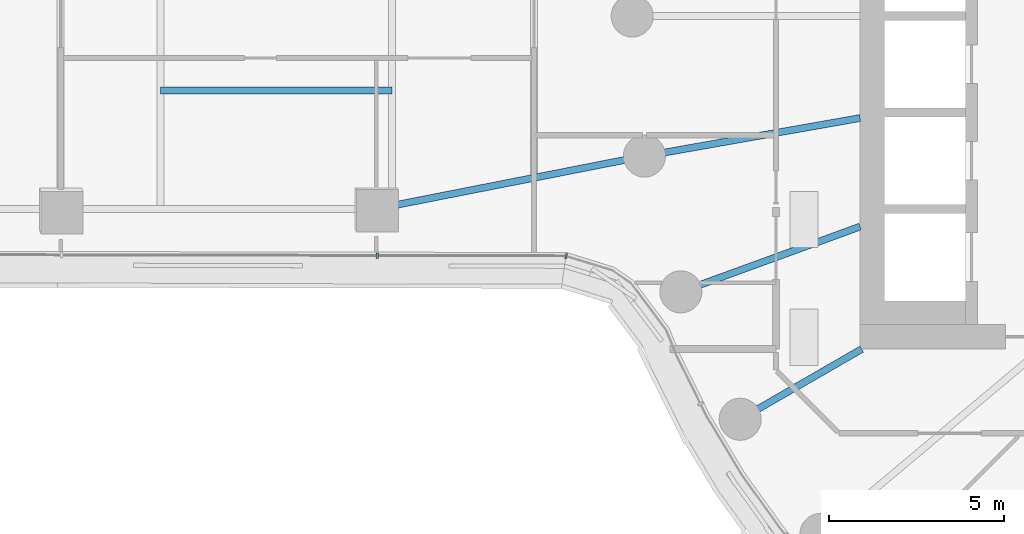
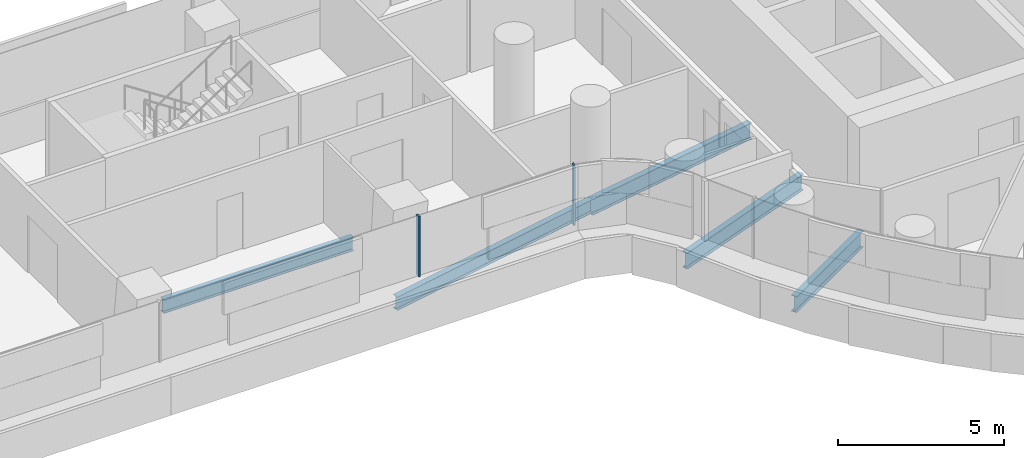
# One storey, part 5 of 32: 5 beams, 2 members, 2 elements without a shape of their own.
"""IFC4 building model written with IfcOpenShell, lengths in metres."""

from ifc_helpers import new_model, si_unit, direction, frame, origin, origin_2d, place, context, subcontext, project, spatial, rectangle, i_section, extrude, material, layer, layer_set, material_profile, profile_set, type_object, element, aggregate, save


model = new_model("IFC4")

# Units and contexts
model_context = context("Model", 3, precision=1e-05, world=origin(), true_north=direction((0.0, 1.0)))
body_context = subcontext(model_context, "Body", "Model", "MODEL_VIEW")
ifc_project = project(units=[si_unit("LENGTHUNIT", "METRE"), si_unit("AREAUNIT", "SQUARE_METRE"), si_unit("VOLUMEUNIT", "CUBIC_METRE"), si_unit("PLANEANGLEUNIT", "RADIAN"), si_unit("MASSUNIT", "GRAM", prefix="KILO")], contexts=[model_context])

# Site, building, storey
site_placement = place(None, origin())
site = spatial("IfcSite", under=ifc_project, at=site_placement, CompositionType="ELEMENT")
building_placement = place(site_placement, origin())
building = spatial("IfcBuilding", under=site, at=building_placement, Name="Tamarind Cross Interchange Tower", CompositionType="ELEMENT")
storey_placement = place(building_placement, frame((0.0, 0.0, 34.0)))
storey = spatial("IfcBuildingStorey", under=building, at=storey_placement, Name="L06", CompositionType="ELEMENT", Elevation=34.0)

# Beams
ifc_material_1 = material(Name="Steel Q355B", Category="steel")
ifc_material_profile_1 = material_profile(ifc_material_1, i_section(OverallWidth=0.198974609375, OverallDepth=0.49609375, WebThickness=0.009033203125, FlangeThickness=0.013916015625, FilletRadius=0.012939453125, at=origin_2d()), Name="HN 496x199x9x14")
ifc_profile_set_1 = profile_set([ifc_material_profile_1], Name="Steel Q355B")
beam_type_1 = type_object("IfcBeamType", Name="Composite beam HN 496x199x9x14 Q355B", PredefinedType="BEAM", material=ifc_profile_set_1)
beam_1_placement = place(storey_placement, frame((-30.300048828125, -5.5, -0.387939453125), z_axis=(0.981162844726, 0.193182484014, 0.0), x_axis=(-0.193182484014, 0.981162844726, 0.0)))
element("IfcBeam", 1, at=beam_1_placement, inside=storey, type_object=beam_type_1, Name="Beam W-linkep", PredefinedType="BEAM", context=body_context, shape_type="SweptSolid", body=[
    extrude(i_section(OverallWidth=0.198974609375, OverallDepth=0.49609375, WebThickness=0.009033203125, FlangeThickness=0.013916015625, FilletRadius=0.012939453125, at=origin_2d()), origin(), (0.0, 0.0, 1.0), 7.79638671875),
])
beam_2_placement = place(storey_placement, frame((-29.85009765625, -2.125, -0.387939453125), z_axis=(-1.0, 0.0, 0.0), x_axis=(0.0, -1.0, 0.0)))
element("IfcBeam", 2, at=beam_2_placement, inside=storey, type_object=beam_type_1, Name="Beam W-stripp", PredefinedType="BEAM", context=body_context, shape_type="SweptSolid", body=[
    extrude(i_section(OverallWidth=0.198974609375, OverallDepth=0.49609375, WebThickness=0.009033203125, FlangeThickness=0.013916015625, FilletRadius=0.012939453125, at=origin_2d()), origin(), (0.0, 0.0, 1.0), 6.599853515625),
])
ifc_material_profile_2 = material_profile(ifc_material_1, i_section(OverallWidth=0.198974609375, OverallDepth=0.595947265625, WebThickness=0.010009765625, FlangeThickness=0.014892578125, FilletRadius=0.012939453125, at=origin_2d()), Name="HN 596x199x10x15")
ifc_profile_set_2 = profile_set([ifc_material_profile_2], Name="Steel Q355B")
beam_type_2 = type_object("IfcBeamType", Name="Composite beam HN 596x199x10x15 Q355B", PredefinedType="BEAM", material=ifc_profile_set_2)
beam_3_placement = place(storey_placement, frame((-22.650634765625, -3.993896484375, -0.43798828125), z_axis=(0.984809127561, 0.173640382036, 0.0), x_axis=(-0.173640382036, 0.984809127561, 0.0)))
element("IfcBeam", 3, at=beam_3_placement, inside=storey, type_object=beam_type_2, Name="Beam HH19", PredefinedType="BEAM", context=body_context, shape_type="SweptSolid", body=[
    extrude(i_section(OverallWidth=0.198974609375, OverallDepth=0.595947265625, WebThickness=0.010009765625, FlangeThickness=0.014892578125, FilletRadius=0.012939453125, at=origin_2d()), origin(), (0.0, 0.0, 1.0), 6.24560546875),
])
beam_4_placement = place(storey_placement, frame((-21.613037109375, -7.866455078125, -0.43798828125), z_axis=(0.939701685589, 0.341995236956, 0.0), x_axis=(-0.341995236956, 0.939701685589, 0.0)))
element("IfcBeam", 4, at=beam_4_placement, inside=storey, type_object=beam_type_2, Name="Beam HH20", PredefinedType="BEAM", context=body_context, shape_type="SweptSolid", body=[
    extrude(i_section(OverallWidth=0.198974609375, OverallDepth=0.595947265625, WebThickness=0.010009765625, FlangeThickness=0.014892578125, FilletRadius=0.012939453125, at=origin_2d()), origin(), (0.0, 0.0, 1.0), 5.441162109375),
])
beam_5_placement = place(storey_placement, frame((-19.918701171875, -11.5, -0.43798828125), z_axis=(0.866026010844, 0.49999894854, 0.0), x_axis=(-0.49999894854, 0.866026010844, 0.0)))
element("IfcBeam", 5, at=beam_5_placement, inside=storey, type_object=beam_type_2, Name="Beam HH21", PredefinedType="BEAM", context=body_context, shape_type="SweptSolid", body=[
    extrude(i_section(OverallWidth=0.198974609375, OverallDepth=0.595947265625, WebThickness=0.010009765625, FlangeThickness=0.014892578125, FilletRadius=0.012939453125, at=origin_2d()), origin(), (0.0, 0.0, 1.0), 4.0),
])

# Curtain wall, member
ifc_material_2 = material(Name="Aluminium 6063-T6", Category="aluminium")
ifc_layer_1 = layer(ifc_material_2, 0.159912109375)
ifc_layer_set_1 = layer_set([ifc_layer_1], Name="Aluminium 6063-T6")
curtain_wall_type_1 = type_object("IfcCurtainWallType", Name="Office curtain wall, 9.0 m bays", PredefinedType="NOTDEFINED", material=ifc_layer_set_1)
curtain_wall_1_placement = place(storey_placement, origin())
curtain_wall_1 = element("IfcCurtainWall", 6, at=curtain_wall_1_placement, inside=storey, type_object=curtain_wall_type_1, Name="CWS-L06-02", PredefinedType="NOTDEFINED")
ifc_material_profile_3 = material_profile(ifc_material_2, rectangle(XDim=0.06005859375, YDim=0.159912109375, at=origin_2d()), Name="Mullion CW1")
ifc_profile_set_3 = profile_set([ifc_material_profile_3], Name="Aluminium 6063-T6")
member_type_1 = type_object("IfcMemberType", Name="Mullion CW1", PredefinedType="MULLION", material=ifc_profile_set_3)
member_1_placement = place(storey_placement, frame((-30.270751953125, -6.833740234375, 1.39990234375), z_axis=(0.0, 0.0, 1.0), x_axis=(0.999998075717, -0.00196177549, 0.0)))
member_1 = element("IfcMember", 7, at=member_1_placement, type_object=member_type_1, Name="CWM-L06-02-02", PredefinedType="MULLION", context=body_context, shape_type="SweptSolid", body=[
    extrude(rectangle(XDim=0.06005859375, YDim=0.159912109375, at=origin_2d()), origin(), (0.0, 0.0, 1.0), 2.210205078125),
])
aggregate(curtain_wall_1, [member_1])

ifc_layer_2 = layer(ifc_material_2, 0.14990234375)
ifc_layer_set_2 = layer_set([ifc_layer_2], Name="Aluminium 6063-T6")
curtain_wall_type_2 = type_object("IfcCurtainWallType", Name="Winter garden and crown curtain wall", PredefinedType="NOTDEFINED", material=ifc_layer_set_2)
curtain_wall_2_placement = place(storey_placement, origin())
curtain_wall_2 = element("IfcCurtainWall", 8, at=curtain_wall_2_placement, inside=storey, type_object=curtain_wall_type_2, Name="CWS-L06-03", PredefinedType="NOTDEFINED")
ifc_material_profile_4 = material_profile(ifc_material_2, rectangle(XDim=0.06005859375, YDim=0.14990234375, at=origin_2d()), Name="Mullion CW6")
ifc_profile_set_4 = profile_set([ifc_material_profile_4], Name="Aluminium 6063-T6")
member_type_2 = type_object("IfcMemberType", Name="Mullion CW6", PredefinedType="MULLION", material=ifc_profile_set_4)
member_2_placement = place(storey_placement, frame((-24.884765625, -6.844482421875, 1.39990234375), z_axis=(0.0, 0.0, 1.0), x_axis=(0.988647216004, -0.150255390212, 0.0)))
member_2 = element("IfcMember", 9, at=member_2_placement, type_object=member_type_2, Name="CWM-L06-03-00", PredefinedType="MULLION", context=body_context, shape_type="SweptSolid", body=[
    extrude(rectangle(XDim=0.06005859375, YDim=0.14990234375, at=origin_2d()), origin(), (0.0, 0.0, 1.0), 2.210205078125),
])
aggregate(curtain_wall_2, [member_2])

save(model, "model.ifc")
